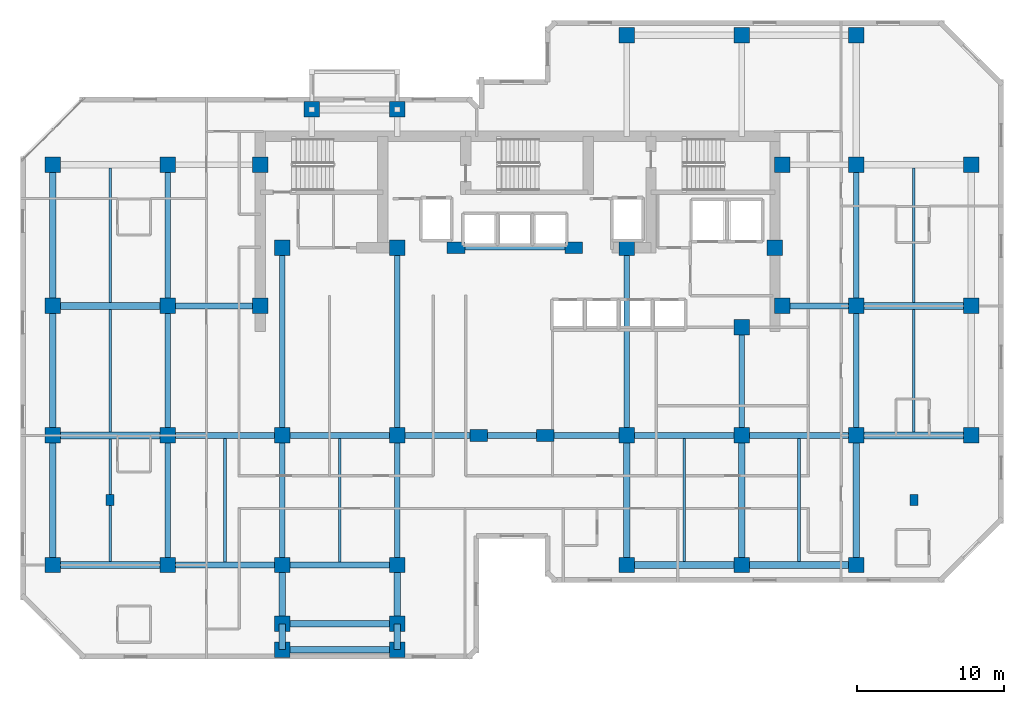
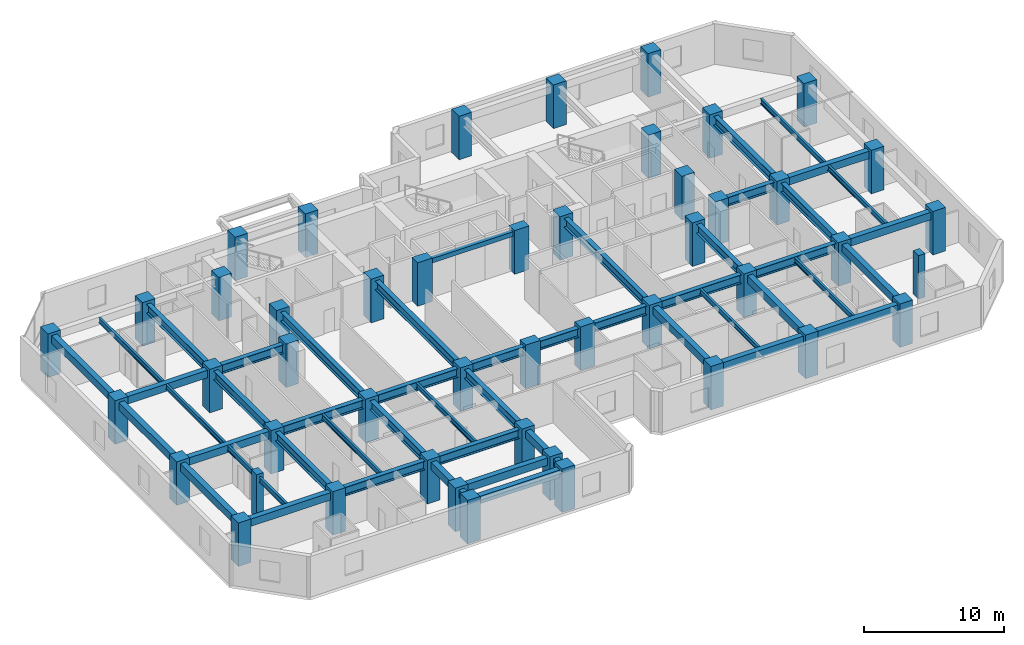
# One storey, part 1 of 9: 51 beams, 47 columns.
"""IFC4 building model written with IfcOpenShell, lengths in metres."""

from ifc_helpers import new_model, si_unit, direction, frame, origin, origin_2d, place, context, subcontext, project, spatial, rectangle, i_section, extrude, material, material_profile, profile_set, type_object, element, save


model = new_model("IFC4")

# Units and contexts
model_context = context("Model", 3, precision=1e-05, world=origin(), true_north=direction((0.0, 1.0)))
body_context = subcontext(model_context, "Body", "Model", "MODEL_VIEW")
ifc_project = project(units=[si_unit("LENGTHUNIT", "METRE"), si_unit("AREAUNIT", "SQUARE_METRE"), si_unit("VOLUMEUNIT", "CUBIC_METRE"), si_unit("PLANEANGLEUNIT", "RADIAN"), si_unit("MASSUNIT", "GRAM", prefix="KILO")], contexts=[model_context])

# Site, building, storey
site_placement = place(None, origin())
site = spatial("IfcSite", under=ifc_project, at=site_placement, CompositionType="ELEMENT")
building_placement = place(site_placement, origin())
building = spatial("IfcBuilding", under=site, at=building_placement, Name="Kestravale Grand Hotel", CompositionType="ELEMENT")
storey_placement = place(building_placement, frame((0.0, 0.0, 176.39990234375)))
storey = spatial("IfcBuildingStorey", under=building, at=storey_placement, Name="L44", CompositionType="ELEMENT", Elevation=176.39990234375)

# Columns
ifc_material_1 = material(Name="Concrete f'c 60 MPa", Category="concrete")
ifc_material_profile_1 = material_profile(ifc_material_1, rectangle(XDim=1.050048828125, YDim=1.050048828125, at=origin_2d()))
ifc_profile_set_1 = profile_set([ifc_material_profile_1], Name="Concrete f'c 60 MPa")
column_type_1 = type_object("IfcColumnType", Name="C-Z3-1050", PredefinedType="COLUMN", material=ifc_profile_set_1)
for number, where, z_axis, x_axis, name in (
    (1, (7.800048828125, 11.199951171875, 0.0), (0.0, 0.0, 1.0), (1.0, 0.0, 0.0), "L44 column 2-C"),
    (2, (7.800048828125, 20.0, 0.0), (0.0, 0.0, 1.0), (1.0, 0.0, 0.0), "L44 column 2-D"),
    (3, (7.800048828125, 28.800048828125, 0.0), (0.0, 0.0, 1.0), (1.0, 0.0, 0.0), "L44 column 2-E"),
    (4, (7.800048828125, 38.39990234375, 0.0), (0.0, 0.0, 1.0), (1.0, 0.0, 0.0), "L44 column 2-F"),
    (5, (15.60009765625, 11.199951171875, 0.0), (0.0, 0.0, 1.0), (1.0, 0.0, 0.0), "L44 column 3-C"),
    (6, (15.60009765625, 20.0, 0.0), (0.0, 0.0, 1.0), (1.0, 0.0, 0.0), "L44 column 3-D"),
    (7, (15.60009765625, 28.800048828125, 0.0), (0.0, 0.0, 1.0), (1.0, 0.0, 0.0), "L44 column 3-E"),
    (8, (15.60009765625, 38.39990234375, 0.0), (0.0, 0.0, 1.0), (1.0, 0.0, 0.0), "L44 column 3-F"),
    (9, (23.39990234375, 11.199951171875, 0.0), (0.0, 0.0, 1.0), (1.0, 0.0, 0.0), "L44 column 4-C"),
    (10, (23.39990234375, 20.0, 0.0), (0.0, 0.0, 1.0), (1.0, 0.0, 0.0), "L44 column 4-D"),
    (11, (31.199951171875, 11.199951171875, 0.0), (0.0, 0.0, 1.0), (1.0, 0.0, 0.0), "L44 column 5-C"),
    (12, (31.199951171875, 20.0, 0.0), (0.0, 0.0, 1.0), (1.0, 0.0, 0.0), "L44 column 5-D"),
    (13, (46.800048828125, 11.199951171875, 0.0), (0.0, 0.0, 1.0), (1.0, 0.0, 0.0), "L44 column 8-C"),
    (14, (46.800048828125, 20.0, 0.0), (0.0, 0.0, 1.0), (1.0, 0.0, 0.0), "L44 column 8-D"),
    (15, (46.800048828125, 47.199951171875, 0.0), (0.0, 0.0, 1.0), (1.0, 0.0, 0.0), "L44 column 8-G"),
    (16, (54.60009765625, 11.199951171875, 0.0), (0.0, 0.0, 1.0), (1.0, 0.0, 0.0), "L44 column 9-C"),
    (17, (54.60009765625, 20.0, 0.0), (0.0, 0.0, 1.0), (1.0, 0.0, 0.0), "L44 column 9-D"),
    (18, (54.60009765625, 47.199951171875, 0.0), (0.0, 0.0, 1.0), (1.0, 0.0, 0.0), "L44 column 9-G"),
    (19, (62.39990234375, 11.199951171875, 0.0), (0.0, 0.0, 1.0), (1.0, 0.0, 0.0), "L44 column 10-C"),
    (20, (62.39990234375, 20.0, 0.0), (0.0, 0.0, 1.0), (1.0, 0.0, 0.0), "L44 column 10-D"),
    (21, (62.39990234375, 28.800048828125, 0.0), (0.0, 0.0, 1.0), (1.0, 0.0, 0.0), "L44 column 10-E"),
    (22, (62.39990234375, 38.39990234375, 0.0), (0.0, 0.0, 1.0), (1.0, 0.0, 0.0), "L44 column 10-F"),
    (23, (62.39990234375, 47.199951171875, 0.0), (0.0, 0.0, 1.0), (1.0, 0.0, 0.0), "L44 column 10-G"),
    (24, (70.199951171875, 20.0, 0.0), (0.0, 0.0, 1.0), (1.0, 0.0, 0.0), "L44 column 11-D"),
    (25, (70.199951171875, 28.800048828125, 0.0), (0.0, 0.0, 1.0), (1.0, 0.0, 0.0), "L44 column 11-E"),
    (26, (70.199951171875, 38.39990234375, 0.0), (0.0, 0.0, 1.0), (1.0, 0.0, 0.0), "L44 column 11-F"),
    (27, (21.89990234375, 28.800048828125, 0.0), (0.0, 0.0, 1.0), (1.0, 0.0, 0.0), "L44 column CW-E"),
    (28, (21.89990234375, 38.39990234375, 0.0), (0.0, 0.0, 1.0), (1.0, 0.0, 0.0), "L44 column CW-F"),
    (29, (57.35009765625, 28.800048828125, 0.0), (0.0, 0.0, 1.0), (1.0, 0.0, 0.0), "L44 column CE-E"),
    (30, (57.35009765625, 38.39990234375, 0.0), (0.0, 0.0, 1.0), (1.0, 0.0, 0.0), "L44 column CE-F"),
    (31, (23.39990234375, 32.75, 0.0), (0.0, 0.0, 1.0), (1.0, 0.0, 0.0), "L44 column 4-CS"),
    (32, (31.199951171875, 32.75, 0.0), (0.0, 0.0, 1.0), (1.0, 0.0, 0.0), "L44 column 5-CS"),
    (33, (46.800048828125, 32.75, 0.0), (0.0, 0.0, 1.0), (1.0, 0.0, 0.0), "L44 column 8-CS"),
    (34, (54.60009765625, 27.35009765625, 0.0), (0.0, 0.0, 1.0), (1.0, 0.0, 0.0), "L44 column 9-CS"),
    (35, (56.85009765625, 32.75, 0.0), (0.0, 0.0, 1.0), (1.0, 0.0, 0.0), "L44 column 9C-CS"),
    (36, (23.39990234375, 7.199951171875, 0.0), (0.0, 0.0, 1.0), (1.0, 0.0, 0.0), "L44 column 4-BS"),
    (37, (31.199951171875, 7.199951171875, 0.0), (0.0, 0.0, 1.0), (1.0, 0.0, 0.0), "L44 column 5-BS"),
    (38, (25.39990234375, 42.14990234375, 0.0), (0.0, 0.0, 1.0), (1.0, 0.0, 0.0), "L44 column 4-FN"),
    (39, (31.199951171875, 42.14990234375, 0.0), (0.0, 0.0, 1.0), (1.0, 0.0, 0.0), "L44 column 5-FN"),
    (40, (23.39990234375, 5.449951171875, 0.0), (0.0, 0.0, 1.0), (1.0, 0.0, 0.0), "L44 column 4-B1S"),
    (41, (31.199951171875, 5.449951171875, 0.0), (0.0, 0.0, 1.0), (1.0, 0.0, 0.0), "L44 column 5-B1S"),
):
    element("IfcColumn", number, at=place(storey_placement, frame(where, z_axis=z_axis, x_axis=x_axis)), inside=storey, type_object=column_type_1, Name=name, PredefinedType="COLUMN", context=body_context, shape_type="SweptSolid", body=[
        extrude(rectangle(XDim=1.050048828125, YDim=1.050048828125, at=origin_2d()), origin(), (0.0, 0.0, 1.0), 3.800048828125),
    ])
ifc_material_2 = material(Name="Concrete f'c 60 MPa", Category="concrete")
ifc_material_profile_2 = material_profile(ifc_material_2, rectangle(XDim=1.199951171875, YDim=0.800048828125, at=origin_2d()))
ifc_profile_set_2 = profile_set([ifc_material_profile_2], Name="Concrete f'c 60 MPa")
column_type_2 = type_object("IfcColumnType", Name="C-Z3-1200X800", PredefinedType="COLUMN", material=ifc_profile_set_2)
for number, where, z_axis, x_axis, name in (
    (42, (36.75, 20.0, 0.0), (0.0, 0.0, 1.0), (1.0, 0.0, 0.0), "L44 column 6-D"),
    (43, (41.25, 20.0, 0.0), (0.0, 0.0, 1.0), (1.0, 0.0, 0.0), "L44 column 7-D"),
    (44, (35.199951171875, 32.75, 0.0), (0.0, 0.0, 1.0), (1.0, 0.0, 0.0), "L44 column 6C-CS"),
    (45, (43.199951171875, 32.75, 0.0), (0.0, 0.0, 1.0), (1.0, 0.0, 0.0), "L44 column 7C-CS"),
):
    element("IfcColumn", number, at=place(storey_placement, frame(where, z_axis=z_axis, x_axis=x_axis)), inside=storey, type_object=column_type_2, Name=name, PredefinedType="COLUMN", context=body_context, shape_type="SweptSolid", body=[
        extrude(rectangle(XDim=1.199951171875, YDim=0.800048828125, at=origin_2d()), origin(), (0.0, 0.0, 1.0), 3.800048828125),
    ])
ifc_material_3 = material(Name="Precast concrete f'c 45 MPa", Category="concrete")
ifc_material_profile_3 = material_profile(ifc_material_3, rectangle(XDim=0.550048828125, YDim=0.75, at=origin_2d()))
ifc_profile_set_3 = profile_set([ifc_material_profile_3], Name="Precast concrete f'c 45 MPa")
column_type_3 = type_object("IfcColumnType", Name="C-Z3-PIL750", PredefinedType="PILASTER", material=ifc_profile_set_3)
for number, where, z_axis, x_axis, name in (
    (46, (11.699951171875, 15.60009765625, 0.0), (0.0, 0.0, 1.0), (1.0, 0.0, 0.0), "L44 Art Deco fluted pilaster P1"),
    (47, (66.300048828125, 15.60009765625, 0.0), (0.0, 0.0, 1.0), (1.0, 0.0, 0.0), "L44 Art Deco fluted pilaster P2"),
):
    element("IfcColumn", number, at=place(storey_placement, frame(where, z_axis=z_axis, x_axis=x_axis)), inside=storey, type_object=column_type_3, Name=name, PredefinedType="PILASTER", context=body_context, shape_type="SweptSolid", body=[
        extrude(rectangle(XDim=0.550048828125, YDim=0.75, at=origin_2d()), origin(), (0.0, 0.0, 1.0), 3.800048828125),
    ])

# Beams
ifc_material_4 = material(Name="Steel ASTM A992 Grade 50", Category="steel")
ifc_material_profile_4 = material_profile(ifc_material_4, i_section(OverallWidth=0.19091796875, OverallDepth=0.45703125, WebThickness=0.009033203125, FlangeThickness=0.014404296875, FilletRadius=0.015380859375, at=origin_2d()))
ifc_profile_set_4 = profile_set([ifc_material_profile_4], Name="Steel ASTM A992 Grade 50")
beam_type_1 = type_object("IfcBeamType", Name="B-FLR-JST18", PredefinedType="JOIST", material=ifc_profile_set_4)
for number, where, z_axis, x_axis, name in (
    (48, (11.699951171875, 11.425048828125, 3.321533203125), (0.0, 1.0, 0.0), (-1.0, 0.0, 0.0), "L44 floor joist 2-3/C-D #1"),
    (49, (11.699951171875, 20.22509765625, 3.321533203125), (0.0, 1.0, 0.0), (-1.0, 0.0, 0.0), "L44 floor joist 2-3/D-E #1"),
):
    element("IfcBeam", number, at=place(storey_placement, frame(where, z_axis=z_axis, x_axis=x_axis)), inside=storey, type_object=beam_type_1, Name=name, PredefinedType="JOIST", context=body_context, shape_type="SweptSolid", body=[
        extrude(i_section(OverallWidth=0.19091796875, OverallDepth=0.45703125, WebThickness=0.009033203125, FlangeThickness=0.014404296875, FilletRadius=0.015380859375, at=origin_2d()), origin(), (0.0, 0.0, 1.0), 8.349853515625),
    ])
beam_1_placement = place(storey_placement, frame((11.699951171875, 29.02490234375, 3.321533203125), z_axis=(0.0, 1.0, 0.0), x_axis=(-1.0, 0.0, 0.0)))
element("IfcBeam", 50, at=beam_1_placement, inside=storey, type_object=beam_type_1, Name="L44 floor joist 2-3/E-F #1", PredefinedType="JOIST", context=body_context, shape_type="SweptSolid", body=[
    extrude(i_section(OverallWidth=0.19091796875, OverallDepth=0.45703125, WebThickness=0.009033203125, FlangeThickness=0.014404296875, FilletRadius=0.015380859375, at=origin_2d()), origin(), (0.0, 0.0, 1.0), 9.150146484375),
])
for number, where, z_axis, x_axis, name in (
    (51, (19.5, 11.390380859375, 3.321533203125), (0.0, 1.0, 0.0), (-1.0, 0.0, 0.0), "L44 floor joist 3-4/C-D #1"),
    (52, (27.300048828125, 11.390380859375, 3.321533203125), (0.0, 1.0, 0.0), (-1.0, 0.0, 0.0), "L44 floor joist 4-5/C-D #1"),
):
    element("IfcBeam", number, at=place(storey_placement, frame(where, z_axis=z_axis, x_axis=x_axis)), inside=storey, type_object=beam_type_1, Name=name, PredefinedType="JOIST", context=body_context, shape_type="SweptSolid", body=[
        extrude(i_section(OverallWidth=0.19091796875, OverallDepth=0.45703125, WebThickness=0.009033203125, FlangeThickness=0.014404296875, FilletRadius=0.015380859375, at=origin_2d()), origin(), (0.0, 0.0, 1.0), 8.419189453125),
    ])
for number, where, z_axis, x_axis, name in (
    (53, (50.699951171875, 11.425048828125, 3.321533203125), (0.0, 1.0, 0.0), (-1.0, 0.0, 0.0), "L44 floor joist 8-9/C-D #1"),
    (54, (58.5, 11.425048828125, 3.321533203125), (0.0, 1.0, 0.0), (-1.0, 0.0, 0.0), "L44 floor joist 9-10/C-D #1"),
):
    element("IfcBeam", number, at=place(storey_placement, frame(where, z_axis=z_axis, x_axis=x_axis)), inside=storey, type_object=beam_type_1, Name=name, PredefinedType="JOIST", context=body_context, shape_type="SweptSolid", body=[
        extrude(i_section(OverallWidth=0.19091796875, OverallDepth=0.45703125, WebThickness=0.009033203125, FlangeThickness=0.014404296875, FilletRadius=0.015380859375, at=origin_2d()), origin(), (0.0, 0.0, 1.0), 8.384521484375),
    ])
beam_2_placement = place(storey_placement, frame((66.300048828125, 20.22509765625, 3.321533203125), z_axis=(0.0, 1.0, 0.0), x_axis=(-1.0, 0.0, 0.0)))
element("IfcBeam", 55, at=beam_2_placement, inside=storey, type_object=beam_type_1, Name="L44 floor joist 10-11/D-E #1", PredefinedType="JOIST", context=body_context, shape_type="SweptSolid", body=[
    extrude(i_section(OverallWidth=0.19091796875, OverallDepth=0.45703125, WebThickness=0.009033203125, FlangeThickness=0.014404296875, FilletRadius=0.015380859375, at=origin_2d()), origin(), (0.0, 0.0, 1.0), 8.349853515625),
])
beam_3_placement = place(storey_placement, frame((66.300048828125, 29.02490234375, 3.321533203125), z_axis=(0.0, 1.0, 0.0), x_axis=(-1.0, 0.0, 0.0)))
element("IfcBeam", 56, at=beam_3_placement, inside=storey, type_object=beam_type_1, Name="L44 floor joist 10-11/E-F #1", PredefinedType="JOIST", context=body_context, shape_type="SweptSolid", body=[
    extrude(i_section(OverallWidth=0.19091796875, OverallDepth=0.45703125, WebThickness=0.009033203125, FlangeThickness=0.014404296875, FilletRadius=0.015380859375, at=origin_2d()), origin(), (0.0, 0.0, 1.0), 9.150146484375),
])
ifc_material_5 = material(Name="Concrete f'c 45 MPa", Category="concrete")
ifc_material_profile_5 = material_profile(ifc_material_5, rectangle(XDim=0.300048828125, YDim=0.39990234375, at=origin_2d()))
ifc_profile_set_5 = profile_set([ifc_material_profile_5], Name="Concrete f'c 45 MPa")
beam_type_2 = type_object("IfcBeamType", Name="B-FLR-LNT400", PredefinedType="LINTEL", material=ifc_profile_set_5)
beam_4_placement = place(storey_placement, frame((35.199951171875, 32.75, 3.35009765625), z_axis=(1.0, 0.0, 0.0), x_axis=(0.0, 1.0, 0.0)))
element("IfcBeam", 57, at=beam_4_placement, inside=storey, type_object=beam_type_2, Name="L44 core portal header lintel", PredefinedType="LINTEL", context=body_context, shape_type="SweptSolid", body=[
    extrude(rectangle(XDim=0.300048828125, YDim=0.39990234375, at=origin_2d()), origin(), (0.0, 0.0, 1.0), 8.0),
])
ifc_material_6 = material(Name="Concrete f'c 45 MPa", Category="concrete")
ifc_material_profile_6 = material_profile(ifc_material_6, rectangle(XDim=0.449951171875, YDim=0.64990234375, at=origin_2d()))
ifc_profile_set_6 = profile_set([ifc_material_profile_6], Name="Concrete f'c 45 MPa")
beam_type_3 = type_object("IfcBeamType", Name="B-FLR-RC650", PredefinedType="SPANDREL", material=ifc_profile_set_6)
for number, where, z_axis, x_axis, name in (
    (58, (7.800048828125, 11.199951171875, 3.22509765625), (1.0, 0.0, 0.0), (0.0, 1.0, 0.0), "L44 spandrel C:2-3"),
    (59, (46.800048828125, 11.199951171875, 3.22509765625), (1.0, 0.0, 0.0), (0.0, 1.0, 0.0), "L44 spandrel C:8-9"),
):
    element("IfcBeam", number, at=place(storey_placement, frame(where, z_axis=z_axis, x_axis=x_axis)), inside=storey, type_object=beam_type_3, Name=name, PredefinedType="SPANDREL", context=body_context, shape_type="SweptSolid", body=[
        extrude(rectangle(XDim=0.449951171875, YDim=0.64990234375, at=origin_2d()), origin(), (0.0, 0.0, 1.0), 7.800048828125),
    ])
beam_5_placement = place(storey_placement, frame((54.60009765625, 11.199951171875, 3.22509765625), z_axis=(1.0, 0.0, 0.0), x_axis=(0.0, 1.0, 0.0)))
element("IfcBeam", 60, at=beam_5_placement, inside=storey, type_object=beam_type_3, Name="L44 spandrel C:9-10", PredefinedType="SPANDREL", context=body_context, shape_type="SweptSolid", body=[
    extrude(rectangle(XDim=0.449951171875, YDim=0.64990234375, at=origin_2d()), origin(), (0.0, 0.0, 1.0), 7.7998046875),
])
for number, where, z_axis, x_axis, name in (
    (61, (7.800048828125, 20.0, 3.22509765625), (1.0, 0.0, 0.0), (0.0, 1.0, 0.0), "L44 spandrel D:2-3"),
    (62, (62.39990234375, 20.0, 3.22509765625), (1.0, 0.0, 0.0), (0.0, 1.0, 0.0), "L44 spandrel D:10-11"),
    (63, (7.800048828125, 28.800048828125, 3.22509765625), (1.0, 0.0, 0.0), (0.0, 1.0, 0.0), "L44 spandrel E:2-3"),
    (64, (62.39990234375, 28.800048828125, 3.22509765625), (1.0, 0.0, 0.0), (0.0, 1.0, 0.0), "L44 spandrel E:10-11"),
    (65, (23.39990234375, 5.449951171875, 3.22509765625), (1.0, 0.0, 0.0), (0.0, 1.0, 0.0), "L44 perimeter tie spandrel B1S:4-5"),
    (66, (23.39990234375, 7.199951171875, 3.22509765625), (1.0, 0.0, 0.0), (0.0, 1.0, 0.0), "L44 perimeter tie spandrel BS:4-5"),
):
    element("IfcBeam", number, at=place(storey_placement, frame(where, z_axis=z_axis, x_axis=x_axis)), inside=storey, type_object=beam_type_3, Name=name, PredefinedType="SPANDREL", context=body_context, shape_type="SweptSolid", body=[
        extrude(rectangle(XDim=0.449951171875, YDim=0.64990234375, at=origin_2d()), origin(), (0.0, 0.0, 1.0), 7.800048828125),
    ])
for number, where, z_axis, x_axis, name in (
    (67, (7.800048828125, 11.199951171875, 3.22509765625), (0.0, 1.0, 0.0), (-1.0, 0.0, 0.0), "L44 spandrel 2:C-D"),
    (68, (7.800048828125, 20.0, 3.22509765625), (0.0, 1.0, 0.0), (-1.0, 0.0, 0.0), "L44 spandrel 2:D-E"),
):
    element("IfcBeam", number, at=place(storey_placement, frame(where, z_axis=z_axis, x_axis=x_axis)), inside=storey, type_object=beam_type_3, Name=name, PredefinedType="SPANDREL", context=body_context, shape_type="SweptSolid", body=[
        extrude(rectangle(XDim=0.449951171875, YDim=0.64990234375, at=origin_2d()), origin(), (0.0, 0.0, 1.0), 8.800048828125),
    ])
beam_6_placement = place(storey_placement, frame((7.800048828125, 28.800048828125, 3.22509765625), z_axis=(0.0, 1.0, 0.0), x_axis=(-1.0, 0.0, 0.0)))
element("IfcBeam", 69, at=beam_6_placement, inside=storey, type_object=beam_type_3, Name="L44 spandrel 2:E-F", PredefinedType="SPANDREL", context=body_context, shape_type="SweptSolid", body=[
    extrude(rectangle(XDim=0.449951171875, YDim=0.64990234375, at=origin_2d()), origin(), (0.0, 0.0, 1.0), 9.599853515625),
])
beam_7_placement = place(storey_placement, frame((23.39990234375, 5.449951171875, 3.22509765625), z_axis=(0.0, 1.0, 0.0), x_axis=(-1.0, 0.0, 0.0)))
element("IfcBeam", 70, at=beam_7_placement, inside=storey, type_object=beam_type_3, Name="L44 spandrel 4:B1S-BS", PredefinedType="SPANDREL", context=body_context, shape_type="SweptSolid", body=[
    extrude(rectangle(XDim=0.449951171875, YDim=0.64990234375, at=origin_2d()), origin(), (0.0, 0.0, 1.0), 1.75),
])
beam_8_placement = place(storey_placement, frame((23.39990234375, 7.199951171875, 3.22509765625), z_axis=(0.0, 1.0, 0.0), x_axis=(-1.0, 0.0, 0.0)))
element("IfcBeam", 71, at=beam_8_placement, inside=storey, type_object=beam_type_3, Name="L44 spandrel 4:BS-C", PredefinedType="SPANDREL", context=body_context, shape_type="SweptSolid", body=[
    extrude(rectangle(XDim=0.449951171875, YDim=0.64990234375, at=origin_2d()), origin(), (0.0, 0.0, 1.0), 4.0),
])
beam_9_placement = place(storey_placement, frame((31.199951171875, 5.449951171875, 3.22509765625), z_axis=(0.0, 1.0, 0.0), x_axis=(-1.0, 0.0, 0.0)))
element("IfcBeam", 72, at=beam_9_placement, inside=storey, type_object=beam_type_3, Name="L44 spandrel 5:B1S-BS", PredefinedType="SPANDREL", context=body_context, shape_type="SweptSolid", body=[
    extrude(rectangle(XDim=0.449951171875, YDim=0.64990234375, at=origin_2d()), origin(), (0.0, 0.0, 1.0), 1.75),
])
beam_10_placement = place(storey_placement, frame((31.199951171875, 7.199951171875, 3.22509765625), z_axis=(0.0, 1.0, 0.0), x_axis=(-1.0, 0.0, 0.0)))
element("IfcBeam", 73, at=beam_10_placement, inside=storey, type_object=beam_type_3, Name="L44 spandrel 5:BS-C", PredefinedType="SPANDREL", context=body_context, shape_type="SweptSolid", body=[
    extrude(rectangle(XDim=0.449951171875, YDim=0.64990234375, at=origin_2d()), origin(), (0.0, 0.0, 1.0), 4.0),
])
for number, where, z_axis, x_axis, name in (
    (74, (46.800048828125, 11.199951171875, 3.22509765625), (0.0, 1.0, 0.0), (-1.0, 0.0, 0.0), "L44 spandrel 8:C-D"),
    (75, (54.60009765625, 11.199951171875, 3.22509765625), (0.0, 1.0, 0.0), (-1.0, 0.0, 0.0), "L44 spandrel 9:C-D"),
    (76, (62.39990234375, 11.199951171875, 3.22509765625), (0.0, 1.0, 0.0), (-1.0, 0.0, 0.0), "L44 spandrel 10:C-D"),
):
    element("IfcBeam", number, at=place(storey_placement, frame(where, z_axis=z_axis, x_axis=x_axis)), inside=storey, type_object=beam_type_3, Name=name, PredefinedType="SPANDREL", context=body_context, shape_type="SweptSolid", body=[
        extrude(rectangle(XDim=0.449951171875, YDim=0.64990234375, at=origin_2d()), origin(), (0.0, 0.0, 1.0), 8.800048828125),
    ])
ifc_material_7 = material(Name="Steel ASTM A992 Grade 50", Category="steel")
ifc_material_profile_7 = material_profile(ifc_material_7, i_section(OverallWidth=0.381103515625, OverallDepth=0.77197265625, WebThickness=0.0166015625, FlangeThickness=0.027099609375, FilletRadius=0.023681640625, at=origin_2d()))
ifc_profile_set_7 = profile_set([ifc_material_profile_7], Name="Steel ASTM A992 Grade 50")
beam_type_4 = type_object("IfcBeamType", Name="B-GRD-W30", PredefinedType="BEAM", material=ifc_profile_set_7)
beam_11_placement = place(storey_placement, frame((15.60009765625, 11.199951171875, 3.1640625), z_axis=(1.0, 0.0, 0.0), x_axis=(0.0, 1.0, 0.0)))
element("IfcBeam", 77, at=beam_11_placement, inside=storey, type_object=beam_type_4, Name="L44 girder C:3-4", PredefinedType="BEAM", context=body_context, shape_type="SweptSolid", body=[
    extrude(i_section(OverallWidth=0.381103515625, OverallDepth=0.77197265625, WebThickness=0.0166015625, FlangeThickness=0.027099609375, FilletRadius=0.023681640625, at=origin_2d()), origin(), (0.0, 0.0, 1.0), 7.7998046875),
])
beam_12_placement = place(storey_placement, frame((23.39990234375, 11.199951171875, 3.1640625), z_axis=(1.0, 0.0, 0.0), x_axis=(0.0, 1.0, 0.0)))
element("IfcBeam", 78, at=beam_12_placement, inside=storey, type_object=beam_type_4, Name="L44 girder C:4-5", PredefinedType="BEAM", context=body_context, shape_type="SweptSolid", body=[
    extrude(i_section(OverallWidth=0.381103515625, OverallDepth=0.77197265625, WebThickness=0.0166015625, FlangeThickness=0.027099609375, FilletRadius=0.023681640625, at=origin_2d()), origin(), (0.0, 0.0, 1.0), 7.800048828125),
])
beam_13_placement = place(storey_placement, frame((15.60009765625, 20.0, 3.1640625), z_axis=(1.0, 0.0, 0.0), x_axis=(0.0, 1.0, 0.0)))
element("IfcBeam", 79, at=beam_13_placement, inside=storey, type_object=beam_type_4, Name="L44 girder D:3-4", PredefinedType="BEAM", context=body_context, shape_type="SweptSolid", body=[
    extrude(i_section(OverallWidth=0.381103515625, OverallDepth=0.77197265625, WebThickness=0.0166015625, FlangeThickness=0.027099609375, FilletRadius=0.023681640625, at=origin_2d()), origin(), (0.0, 0.0, 1.0), 7.7998046875),
])
beam_14_placement = place(storey_placement, frame((23.39990234375, 20.0, 3.1640625), z_axis=(1.0, 0.0, 0.0), x_axis=(0.0, 1.0, 0.0)))
element("IfcBeam", 80, at=beam_14_placement, inside=storey, type_object=beam_type_4, Name="L44 girder D:4-5", PredefinedType="BEAM", context=body_context, shape_type="SweptSolid", body=[
    extrude(i_section(OverallWidth=0.381103515625, OverallDepth=0.77197265625, WebThickness=0.0166015625, FlangeThickness=0.027099609375, FilletRadius=0.023681640625, at=origin_2d()), origin(), (0.0, 0.0, 1.0), 7.800048828125),
])
beam_15_placement = place(storey_placement, frame((31.199951171875, 20.0, 3.1640625), z_axis=(1.0, 0.0, 0.0), x_axis=(0.0, 1.0, 0.0)))
element("IfcBeam", 81, at=beam_15_placement, inside=storey, type_object=beam_type_4, Name="L44 girder D:5-6", PredefinedType="BEAM", context=body_context, shape_type="SweptSolid", body=[
    extrude(i_section(OverallWidth=0.381103515625, OverallDepth=0.77197265625, WebThickness=0.0166015625, FlangeThickness=0.027099609375, FilletRadius=0.023681640625, at=origin_2d()), origin(), (0.0, 0.0, 1.0), 5.550048828125),
])
beam_16_placement = place(storey_placement, frame((36.75, 20.0, 3.1640625), z_axis=(1.0, 0.0, 0.0), x_axis=(0.0, 1.0, 0.0)))
element("IfcBeam", 82, at=beam_16_placement, inside=storey, type_object=beam_type_4, Name="L44 girder D:6-7", PredefinedType="BEAM", context=body_context, shape_type="SweptSolid", body=[
    extrude(i_section(OverallWidth=0.381103515625, OverallDepth=0.77197265625, WebThickness=0.0166015625, FlangeThickness=0.027099609375, FilletRadius=0.023681640625, at=origin_2d()), origin(), (0.0, 0.0, 1.0), 4.5),
])
beam_17_placement = place(storey_placement, frame((41.25, 20.0, 3.1640625), z_axis=(1.0, 0.0, 0.0), x_axis=(0.0, 1.0, 0.0)))
element("IfcBeam", 83, at=beam_17_placement, inside=storey, type_object=beam_type_4, Name="L44 girder D:7-8", PredefinedType="BEAM", context=body_context, shape_type="SweptSolid", body=[
    extrude(i_section(OverallWidth=0.381103515625, OverallDepth=0.77197265625, WebThickness=0.0166015625, FlangeThickness=0.027099609375, FilletRadius=0.023681640625, at=origin_2d()), origin(), (0.0, 0.0, 1.0), 5.550048828125),
])
beam_18_placement = place(storey_placement, frame((46.800048828125, 20.0, 3.1640625), z_axis=(1.0, 0.0, 0.0), x_axis=(0.0, 1.0, 0.0)))
element("IfcBeam", 84, at=beam_18_placement, inside=storey, type_object=beam_type_4, Name="L44 girder D:8-9", PredefinedType="BEAM", context=body_context, shape_type="SweptSolid", body=[
    extrude(i_section(OverallWidth=0.381103515625, OverallDepth=0.77197265625, WebThickness=0.0166015625, FlangeThickness=0.027099609375, FilletRadius=0.023681640625, at=origin_2d()), origin(), (0.0, 0.0, 1.0), 7.800048828125),
])
beam_19_placement = place(storey_placement, frame((54.60009765625, 20.0, 3.1640625), z_axis=(1.0, 0.0, 0.0), x_axis=(0.0, 1.0, 0.0)))
element("IfcBeam", 85, at=beam_19_placement, inside=storey, type_object=beam_type_4, Name="L44 girder D:9-10", PredefinedType="BEAM", context=body_context, shape_type="SweptSolid", body=[
    extrude(i_section(OverallWidth=0.381103515625, OverallDepth=0.77197265625, WebThickness=0.0166015625, FlangeThickness=0.027099609375, FilletRadius=0.023681640625, at=origin_2d()), origin(), (0.0, 0.0, 1.0), 7.7998046875),
])
beam_20_placement = place(storey_placement, frame((15.60009765625, 28.800048828125, 3.1640625), z_axis=(1.0, 0.0, 0.0), x_axis=(0.0, 1.0, 0.0)))
element("IfcBeam", 86, at=beam_20_placement, inside=storey, type_object=beam_type_4, Name="L44 girder E:3-CW", PredefinedType="BEAM", context=body_context, shape_type="SweptSolid", body=[
    extrude(i_section(OverallWidth=0.381103515625, OverallDepth=0.77197265625, WebThickness=0.0166015625, FlangeThickness=0.027099609375, FilletRadius=0.023681640625, at=origin_2d()), origin(), (0.0, 0.0, 1.0), 6.2998046875),
])
beam_21_placement = place(storey_placement, frame((57.35009765625, 28.800048828125, 3.1640625), z_axis=(1.0, 0.0, 0.0), x_axis=(0.0, 1.0, 0.0)))
element("IfcBeam", 87, at=beam_21_placement, inside=storey, type_object=beam_type_4, Name="L44 girder E:CE-10", PredefinedType="BEAM", context=body_context, shape_type="SweptSolid", body=[
    extrude(i_section(OverallWidth=0.381103515625, OverallDepth=0.77197265625, WebThickness=0.0166015625, FlangeThickness=0.027099609375, FilletRadius=0.023681640625, at=origin_2d()), origin(), (0.0, 0.0, 1.0), 5.0498046875),
])
for number, where, z_axis, x_axis, name in (
    (88, (15.60009765625, 11.199951171875, 3.1640625), (0.0, 1.0, 0.0), (-1.0, 0.0, 0.0), "L44 girder 3:C-D"),
    (89, (15.60009765625, 20.0, 3.1640625), (0.0, 1.0, 0.0), (-1.0, 0.0, 0.0), "L44 girder 3:D-E"),
):
    element("IfcBeam", number, at=place(storey_placement, frame(where, z_axis=z_axis, x_axis=x_axis)), inside=storey, type_object=beam_type_4, Name=name, PredefinedType="BEAM", context=body_context, shape_type="SweptSolid", body=[
        extrude(i_section(OverallWidth=0.381103515625, OverallDepth=0.77197265625, WebThickness=0.0166015625, FlangeThickness=0.027099609375, FilletRadius=0.023681640625, at=origin_2d()), origin(), (0.0, 0.0, 1.0), 8.800048828125),
    ])
beam_22_placement = place(storey_placement, frame((15.60009765625, 28.800048828125, 3.1640625), z_axis=(0.0, 1.0, 0.0), x_axis=(-1.0, 0.0, 0.0)))
element("IfcBeam", 90, at=beam_22_placement, inside=storey, type_object=beam_type_4, Name="L44 girder 3:E-F", PredefinedType="BEAM", context=body_context, shape_type="SweptSolid", body=[
    extrude(i_section(OverallWidth=0.381103515625, OverallDepth=0.77197265625, WebThickness=0.0166015625, FlangeThickness=0.027099609375, FilletRadius=0.023681640625, at=origin_2d()), origin(), (0.0, 0.0, 1.0), 9.599853515625),
])
beam_23_placement = place(storey_placement, frame((23.39990234375, 11.199951171875, 3.1640625), z_axis=(0.0, 1.0, 0.0), x_axis=(-1.0, 0.0, 0.0)))
element("IfcBeam", 91, at=beam_23_placement, inside=storey, type_object=beam_type_4, Name="L44 girder 4:C-D", PredefinedType="BEAM", context=body_context, shape_type="SweptSolid", body=[
    extrude(i_section(OverallWidth=0.381103515625, OverallDepth=0.77197265625, WebThickness=0.0166015625, FlangeThickness=0.027099609375, FilletRadius=0.023681640625, at=origin_2d()), origin(), (0.0, 0.0, 1.0), 8.800048828125),
])
beam_24_placement = place(storey_placement, frame((23.39990234375, 20.0, 3.1640625), z_axis=(0.0, 1.0, 0.0), x_axis=(-1.0, 0.0, 0.0)))
element("IfcBeam", 92, at=beam_24_placement, inside=storey, type_object=beam_type_4, Name="L44 girder 4:D-CS", PredefinedType="BEAM", context=body_context, shape_type="SweptSolid", body=[
    extrude(i_section(OverallWidth=0.381103515625, OverallDepth=0.77197265625, WebThickness=0.0166015625, FlangeThickness=0.027099609375, FilletRadius=0.023681640625, at=origin_2d()), origin(), (0.0, 0.0, 1.0), 12.75),
])
beam_25_placement = place(storey_placement, frame((31.199951171875, 11.199951171875, 3.1640625), z_axis=(0.0, 1.0, 0.0), x_axis=(-1.0, 0.0, 0.0)))
element("IfcBeam", 93, at=beam_25_placement, inside=storey, type_object=beam_type_4, Name="L44 girder 5:C-D", PredefinedType="BEAM", context=body_context, shape_type="SweptSolid", body=[
    extrude(i_section(OverallWidth=0.381103515625, OverallDepth=0.77197265625, WebThickness=0.0166015625, FlangeThickness=0.027099609375, FilletRadius=0.023681640625, at=origin_2d()), origin(), (0.0, 0.0, 1.0), 8.800048828125),
])
for number, where, z_axis, x_axis, name in (
    (94, (31.199951171875, 20.0, 3.1640625), (0.0, 1.0, 0.0), (-1.0, 0.0, 0.0), "L44 girder 5:D-CS"),
    (95, (46.800048828125, 20.0, 3.1640625), (0.0, 1.0, 0.0), (-1.0, 0.0, 0.0), "L44 girder 8:D-CS"),
):
    element("IfcBeam", number, at=place(storey_placement, frame(where, z_axis=z_axis, x_axis=x_axis)), inside=storey, type_object=beam_type_4, Name=name, PredefinedType="BEAM", context=body_context, shape_type="SweptSolid", body=[
        extrude(i_section(OverallWidth=0.381103515625, OverallDepth=0.77197265625, WebThickness=0.0166015625, FlangeThickness=0.027099609375, FilletRadius=0.023681640625, at=origin_2d()), origin(), (0.0, 0.0, 1.0), 12.75),
    ])
beam_26_placement = place(storey_placement, frame((54.60009765625, 20.0, 3.1640625), z_axis=(0.0, 1.0, 0.0), x_axis=(-1.0, 0.0, 0.0)))
element("IfcBeam", 96, at=beam_26_placement, inside=storey, type_object=beam_type_4, Name="L44 girder 9:D-CS", PredefinedType="BEAM", context=body_context, shape_type="SweptSolid", body=[
    extrude(i_section(OverallWidth=0.381103515625, OverallDepth=0.77197265625, WebThickness=0.0166015625, FlangeThickness=0.027099609375, FilletRadius=0.023681640625, at=origin_2d()), origin(), (0.0, 0.0, 1.0), 7.35009765625),
])
beam_27_placement = place(storey_placement, frame((62.39990234375, 20.0, 3.1640625), z_axis=(0.0, 1.0, 0.0), x_axis=(-1.0, 0.0, 0.0)))
element("IfcBeam", 97, at=beam_27_placement, inside=storey, type_object=beam_type_4, Name="L44 girder 10:D-E", PredefinedType="BEAM", context=body_context, shape_type="SweptSolid", body=[
    extrude(i_section(OverallWidth=0.381103515625, OverallDepth=0.77197265625, WebThickness=0.0166015625, FlangeThickness=0.027099609375, FilletRadius=0.023681640625, at=origin_2d()), origin(), (0.0, 0.0, 1.0), 8.800048828125),
])
beam_28_placement = place(storey_placement, frame((62.39990234375, 28.800048828125, 3.1640625), z_axis=(0.0, 1.0, 0.0), x_axis=(-1.0, 0.0, 0.0)))
element("IfcBeam", 98, at=beam_28_placement, inside=storey, type_object=beam_type_4, Name="L44 girder 10:E-F", PredefinedType="BEAM", context=body_context, shape_type="SweptSolid", body=[
    extrude(i_section(OverallWidth=0.381103515625, OverallDepth=0.77197265625, WebThickness=0.0166015625, FlangeThickness=0.027099609375, FilletRadius=0.023681640625, at=origin_2d()), origin(), (0.0, 0.0, 1.0), 9.599853515625),
])

save(model, "model.ifc")
